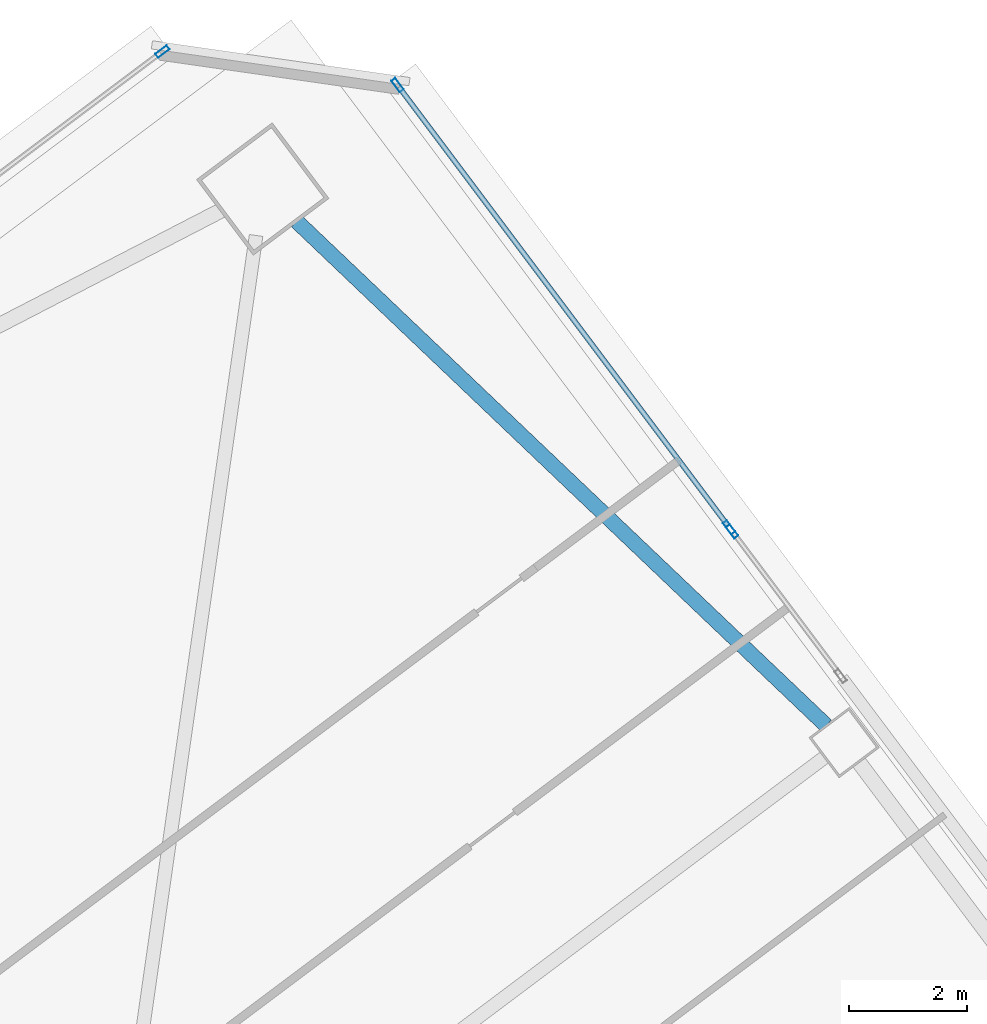
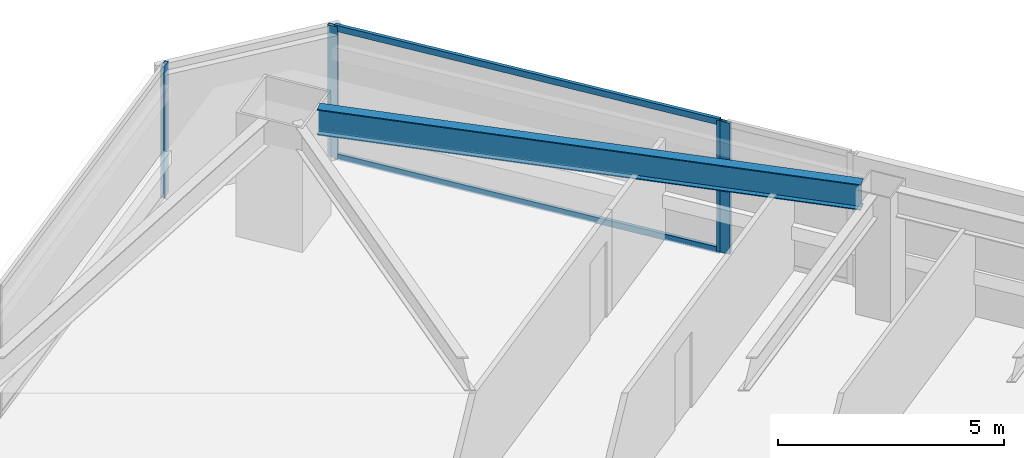
# One storey, part 31 of 46: 6 members, 1 beam, 3 elements without a shape of their own.
"""IFC4 building model written with IfcOpenShell, lengths in metres."""

from ifc_helpers import new_model, si_unit, direction, frame, origin, origin_2d, place, context, subcontext, project, spatial, hollow_rectangle, i_section, extrude, material, material_profile, profile_set, type_object, element, aggregate, save


model = new_model("IFC4")

# Units and contexts
model_context = context("Model", 3, precision=1e-05, world=origin(), true_north=direction((0.0, 1.0)))
body_context = subcontext(model_context, "Body", "Model", "MODEL_VIEW")
ifc_project = project(units=[si_unit("LENGTHUNIT", "METRE"), si_unit("AREAUNIT", "SQUARE_METRE"), si_unit("VOLUMEUNIT", "CUBIC_METRE"), si_unit("PLANEANGLEUNIT", "RADIAN"), si_unit("MASSUNIT", "GRAM", prefix="KILO")], contexts=[model_context])

# Site, building, storey
site_placement = place(None, origin())
site = spatial("IfcSite", under=ifc_project, at=site_placement, CompositionType="ELEMENT")
building_placement = place(site_placement, origin())
building = spatial("IfcBuilding", under=site, at=building_placement, Name="Tashvorn Skyway Center", CompositionType="ELEMENT")
storey_placement = place(building_placement, frame((0.0, 0.0, 31.699951171875)))
storey = spatial("IfcBuildingStorey", under=building, at=storey_placement, Name="L07", CompositionType="ELEMENT", Elevation=31.699951171875)

# Beam
ifc_material_1 = material(Name="Steel ASTM A992 Grade 50", Category="steel")
ifc_material_profile_1 = material_profile(ifc_material_1, i_section(OverallWidth=0.256103515625, OverallDepth=0.693115234375, WebThickness=0.014404296875, FlangeThickness=0.023681640625, at=origin_2d()), Name="W27X114")
ifc_profile_set_1 = profile_set([ifc_material_profile_1], Name="Steel ASTM A992 Grade 50")
beam_type = type_object("IfcBeamType", Name="BM-SPANDREL-W27X114", PredefinedType="SPANDREL", material=ifc_profile_set_1)
beam_placement = place(storey_placement, frame((127.2958984375, 49.23974609375, 3.003662109375), z_axis=(-0.724200339835, 0.689589637236, 0.0), x_axis=(-0.689589637236, -0.724200339835, 0.0)))
element("IfcBeam", 1, at=beam_placement, inside=storey, type_object=beam_type, Name="Tower 2 L07 Spandrel Beam 06", PredefinedType="SPANDREL", context=body_context, shape_type="SweptSolid", body=[
    extrude(i_section(OverallWidth=0.256103515625, OverallDepth=0.693115234375, WebThickness=0.014404296875, FlangeThickness=0.023681640625, at=origin_2d()), origin(), (0.0, 0.0, 1.0), 12.37255859375),
])

# Curtain wall, member
ifc_material_2 = material(Name="Thermally broken bronze-anodized aluminium 6063-T6", Category="aluminium")
curtain_wall_type = type_object("IfcCurtainWallType", Name="CW-CW-Z1", PredefinedType="NOTDEFINED", material=ifc_material_2)
curtain_wall_1_placement = place(storey_placement, origin())
curtain_wall_1 = element("IfcCurtainWall", 2, at=curtain_wall_1_placement, inside=storey, type_object=curtain_wall_type, Name="Tower 2 L07 North Unitised Curtain Wall Glazing Group 4", PredefinedType="NOTDEFINED")
ifc_material_profile_2 = material_profile(ifc_material_2, hollow_rectangle(XDim=0.0849609375, YDim=0.239990234375, WallThickness=0.0048828125, at=origin_2d()), Name="ALU-MULL-85x240")
ifc_profile_set_2 = profile_set([ifc_material_profile_2], Name="Thermally broken bronze-anodized aluminium 6063-T6")
member_type_1 = type_object("IfcMemberType", Name="CWM-CW-Z1", PredefinedType="MULLION", material=ifc_profile_set_2)
member_1_placement = place(storey_placement, frame((116.06201171875, 60.646484375, 0.0), z_axis=(0.0, 0.0, 1.0), x_axis=(-0.600000000002, 0.799999999998, 0.0)))
member_1 = element("IfcMember", 3, at=member_1_placement, type_object=member_type_1, Name="CW-Z1 mullion 2", PredefinedType="MULLION", context=body_context, shape_type="SweptSolid", body=[
    extrude(hollow_rectangle(XDim=0.0849609375, YDim=0.239990234375, WallThickness=0.0048828125, at=origin_2d()), origin(), (0.0, 0.0, 1.0), 3.550048828125),
])
aggregate(curtain_wall_1, [member_1])

# Curtain wall, members
curtain_wall_2_placement = place(storey_placement, origin())
curtain_wall_2 = element("IfcCurtainWall", 4, at=curtain_wall_2_placement, inside=storey, type_object=curtain_wall_type, Name="Tower 2 L07 East Unitised Curtain Wall Glazing Group 1", PredefinedType="NOTDEFINED")
member_2_placement = place(storey_placement, frame((120.04150390625, 60.077880859375, 0.0), z_axis=(0.0, 0.0, 1.0), x_axis=(0.799999999998, 0.600000000002, 0.0)))
member_2 = element("IfcMember", 5, at=member_2_placement, type_object=member_type_1, Name="CW-Z1 mullion 1", PredefinedType="MULLION", context=body_context, shape_type="SweptSolid", body=[
    extrude(hollow_rectangle(XDim=0.0849609375, YDim=0.239990234375, WallThickness=0.0048828125, at=origin_2d()), origin(), (0.0, 0.0, 1.0), 3.550048828125),
])
member_3_placement = place(storey_placement, frame((125.654541015625, 52.593994140625, 0.0), z_axis=(0.0, 0.0, 1.0), x_axis=(0.799999999998, 0.600000000002, 0.0)))
member_3 = element("IfcMember", 6, at=member_3_placement, type_object=member_type_1, Name="CW-Z1 mullion 2", PredefinedType="MULLION", context=body_context, shape_type="SweptSolid", body=[
    extrude(hollow_rectangle(XDim=0.0849609375, YDim=0.239990234375, WallThickness=0.0048828125, at=origin_2d()), origin(), (0.0, 0.0, 1.0), 3.550048828125),
])

# Curtain wall, member
curtain_wall_3_placement = place(storey_placement, origin())
curtain_wall_3 = element("IfcCurtainWall", 7, at=curtain_wall_3_placement, inside=storey, type_object=curtain_wall_type, Name="Tower 2 L07 East Unitised Curtain Wall Glazing Group 2", PredefinedType="NOTDEFINED")
member_4_placement = place(storey_placement, frame((125.70556640625, 52.52587890625, 0.0), z_axis=(0.0, 0.0, 1.0), x_axis=(0.799996186392, 0.600005084776, 0.0)))
member_4 = element("IfcMember", 8, at=member_4_placement, type_object=member_type_1, Name="CW-Z1 mullion 1", PredefinedType="MULLION", context=body_context, shape_type="SweptSolid", body=[
    extrude(hollow_rectangle(XDim=0.0849609375, YDim=0.239990234375, WallThickness=0.0048828125, at=origin_2d()), origin(), (0.0, 0.0, 1.0), 3.550048828125),
])
aggregate(curtain_wall_3, [member_4])

# Member
ifc_material_profile_3 = material_profile(ifc_material_2, hollow_rectangle(XDim=0.0849609375, YDim=0.1650390625, WallThickness=0.0048828125, at=origin_2d()), Name="ALU-TRAN-85x165")
ifc_profile_set_3 = profile_set([ifc_material_profile_3], Name="Thermally broken bronze-anodized aluminium 6063-T6")
member_type_2 = type_object("IfcMemberType", Name="CWT-CW-Z1", PredefinedType="USERDEFINED", material=ifc_profile_set_3)
member_5_placement = place(storey_placement, frame((120.06689453125, 60.0439453125, 0.04248046875), z_axis=(0.6, -0.8, 0.0), x_axis=(0.8, 0.6, 0.0)))
member_5 = element("IfcMember", 9, at=member_5_placement, type_object=member_type_2, Name="CW-Z1 transom 1.1", ObjectType="TRANSOM", PredefinedType="USERDEFINED", context=body_context, shape_type="SweptSolid", body=[
    extrude(hollow_rectangle(XDim=0.0849609375, YDim=0.1650390625, WallThickness=0.0048828125, at=origin_2d()), origin(), (0.0, 0.0, 1.0), 9.27001953125),
])

member_6_placement = place(storey_placement, frame((120.06689453125, 60.0439453125, 3.507568359375), z_axis=(0.6, -0.8, 0.0), x_axis=(0.8, 0.6, 0.0)))
member_6 = element("IfcMember", 10, at=member_6_placement, type_object=member_type_2, Name="CW-Z1 transom 1.2", ObjectType="TRANSOM", PredefinedType="USERDEFINED", context=body_context, shape_type="SweptSolid", body=[
    extrude(hollow_rectangle(XDim=0.0849609375, YDim=0.1650390625, WallThickness=0.0048828125, at=origin_2d()), origin(), (0.0, 0.0, 1.0), 9.27001953125),
])

aggregate(curtain_wall_2, [member_2, member_3, member_5, member_6])

save(model, "model.ifc")
